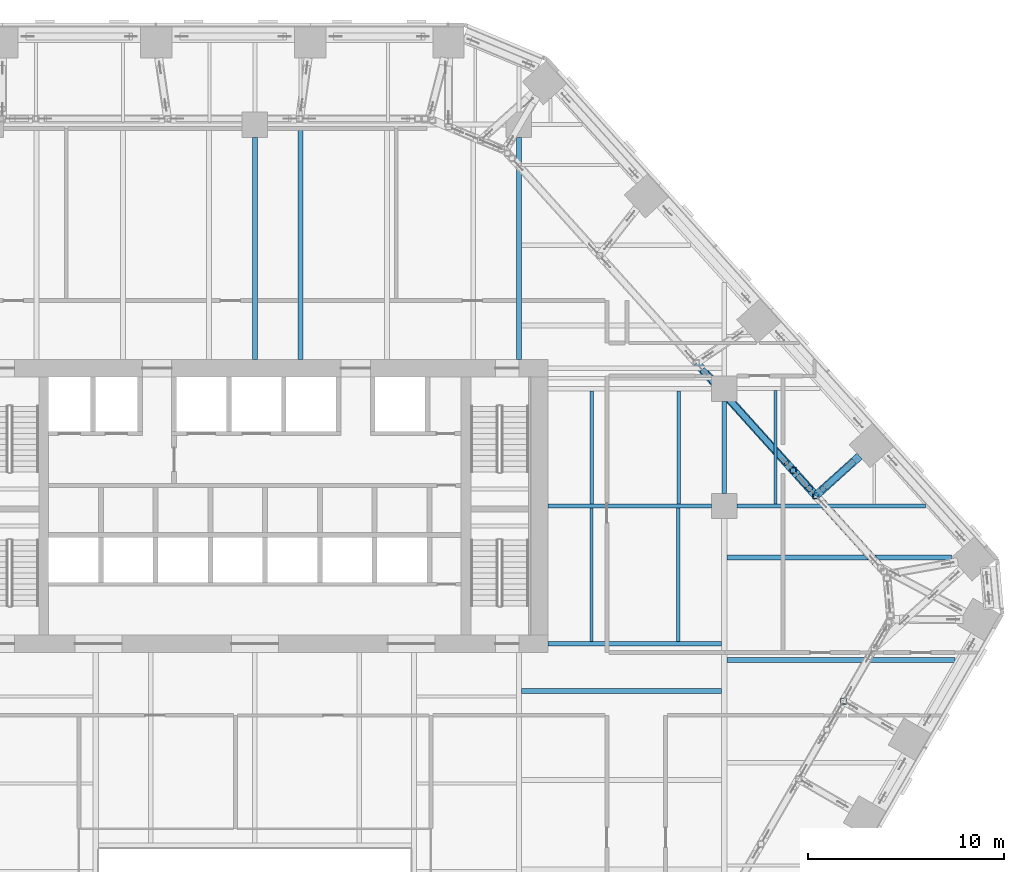
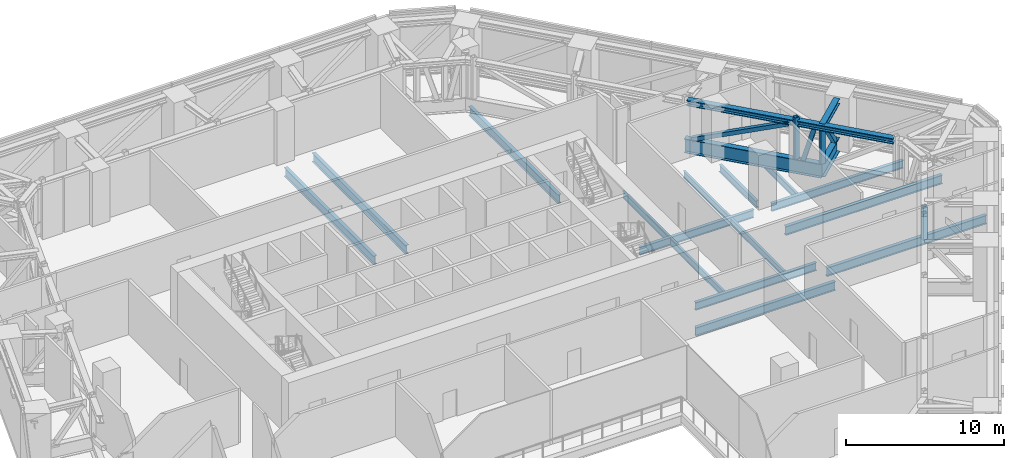
# One storey, part 13 of 36: 15 beams, 11 members.
"""IFC4 building model written with IfcOpenShell, lengths in metres."""

from ifc_helpers import new_model, si_unit, direction, frame, origin, origin_2d, place, context, subcontext, project, spatial, hollow_rectangle, i_section, extrude, material, material_profile, profile_set, type_object, element, save


model = new_model("IFC4")

# Units and contexts
model_context = context("Model", 3, precision=1e-05, world=origin(), true_north=direction((0.0, 1.0)))
body_context = subcontext(model_context, "Body", "Model", "MODEL_VIEW")
ifc_project = project(units=[si_unit("LENGTHUNIT", "METRE"), si_unit("AREAUNIT", "SQUARE_METRE"), si_unit("VOLUMEUNIT", "CUBIC_METRE"), si_unit("PLANEANGLEUNIT", "RADIAN"), si_unit("MASSUNIT", "GRAM", prefix="KILO")], contexts=[model_context])

# Site, building, storey
site_placement = place(None, origin())
site = spatial("IfcSite", under=ifc_project, at=site_placement, CompositionType="ELEMENT")
building_placement = place(site_placement, origin())
building = spatial("IfcBuilding", under=site, at=building_placement, Name="Isthmus Gate Tower", CompositionType="ELEMENT")
storey_placement = place(building_placement, frame((0.0, 0.0, 117.14990234375)))
storey = spatial("IfcBuildingStorey", under=building, at=storey_placement, Name="L28", CompositionType="ELEMENT", Elevation=117.14990234375)

# Beams
ifc_material_1 = material(Name="Structural steel ASTM A992 Gr 50", Category="steel")
ifc_material_profile_1 = material_profile(ifc_material_1, i_section(OverallWidth=0.1650390625, OverallDepth=0.52392578125, WebThickness=0.009521484375, FlangeThickness=0.010986328125, at=origin_2d()), Name="W21X44")
ifc_profile_set_1 = profile_set([ifc_material_profile_1], Name="Structural steel ASTM A992 Gr 50")
beam_type_1 = type_object("IfcBeamType", Name="STEEL FLOOR BEAM W21X44", PredefinedType="JOIST", material=ifc_profile_set_1)
for number, where, z_axis, x_axis, name in (
    (1, (17.223876953125, 7.6142578125, -0.561767578125), (0.0, 1.0, 0.0), (-1.0, 0.0, 0.0), "str-beam-L28-30-00"),
    (2, (21.67138671875, 7.6142578125, -0.561767578125), (0.0, 1.0, 0.0), (-1.0, 0.0, 0.0), "str-beam-L28-30-01"),
):
    element("IfcBeam", number, at=place(storey_placement, frame(where, z_axis=z_axis, x_axis=x_axis)), inside=storey, type_object=beam_type_1, Name=name, PredefinedType="JOIST", context=body_context, shape_type="SweptSolid", body=[
        extrude(i_section(OverallWidth=0.1650390625, OverallDepth=0.52392578125, WebThickness=0.009521484375, FlangeThickness=0.010986328125, at=origin_2d()), origin(), (0.0, 0.0, 1.0), 5.771484375),
    ])
for number, where, z_axis, x_axis, name in (
    (3, (17.216552734375, 0.564208984375, -0.561767578125), (0.0, 1.0, 0.0), (-1.0, 0.0, 0.0), "str-beam-L28-31-00"),
    (4, (21.64990234375, 0.564208984375, -0.561767578125), (0.0, 1.0, 0.0), (-1.0, 0.0, 0.0), "str-beam-L28-31-01"),
):
    element("IfcBeam", number, at=place(storey_placement, frame(where, z_axis=z_axis, x_axis=x_axis)), inside=storey, type_object=beam_type_1, Name=name, PredefinedType="JOIST", context=body_context, shape_type="SweptSolid", body=[
        extrude(i_section(OverallWidth=0.1650390625, OverallDepth=0.52392578125, WebThickness=0.009521484375, FlangeThickness=0.010986328125, at=origin_2d()), origin(), (0.0, 0.0, 1.0), 6.821533203125),
    ])
beam_1_placement = place(storey_placement, frame((26.625244140625, 7.6142578125, -0.561767578125), z_axis=(0.0, 1.0, 0.0), x_axis=(-1.0, 0.0, 0.0)))
element("IfcBeam", 5, at=beam_1_placement, inside=storey, type_object=beam_type_1, Name="str-beam-L28-33-00", PredefinedType="JOIST", context=body_context, shape_type="SweptSolid", body=[
    extrude(i_section(OverallWidth=0.1650390625, OverallDepth=0.52392578125, WebThickness=0.009521484375, FlangeThickness=0.010986328125, at=origin_2d()), origin(), (0.0, 0.0, 1.0), 5.781005859375),
])
ifc_material_2 = material(Name="Structural steel ASTM A992 Gr 50", Category="steel")
ifc_material_profile_2 = material_profile(ifc_material_2, i_section(OverallWidth=0.25390625, OverallDepth=0.679443359375, WebThickness=0.010986328125, FlangeThickness=0.015869140625, at=origin_2d()), Name="W27X84")
ifc_profile_set_2 = profile_set([ifc_material_profile_2], Name="Structural steel ASTM A992 Gr 50")
beam_type_2 = type_object("IfcBeamType", Name="STEEL FLOOR BEAM W27X84", PredefinedType="JOIST", material=ifc_profile_set_2)
beam_2_placement = place(storey_placement, frame((2.334716796875, 15.0, -0.6396484375), z_axis=(0.0, 1.0, 0.0), x_axis=(-1.0, 0.0, 0.0)))
element("IfcBeam", 6, at=beam_2_placement, inside=storey, type_object=beam_type_2, Name="str-beam-L28-21-00", PredefinedType="JOIST", context=body_context, shape_type="SweptSolid", body=[
    extrude(i_section(OverallWidth=0.25390625, OverallDepth=0.679443359375, WebThickness=0.010986328125, FlangeThickness=0.015869140625, at=origin_2d()), origin(), (0.0, 0.0, 1.0), 11.8681640625),
])
beam_3_placement = place(storey_placement, frame((13.6318359375, -1.947998046875, -0.6396484375), z_axis=(1.0, 0.0, 0.0), x_axis=(0.0, 1.0, 0.0)))
element("IfcBeam", 7, at=beam_3_placement, inside=storey, type_object=beam_type_2, Name="str-beam-L28-27-02", PredefinedType="JOIST", context=body_context, shape_type="SweptSolid", body=[
    extrude(i_section(OverallWidth=0.25390625, OverallDepth=0.679443359375, WebThickness=0.010986328125, FlangeThickness=0.015869140625, at=origin_2d()), origin(), (0.0, 0.0, 1.0), 10.23486328125),
])
beam_4_placement = place(storey_placement, frame((24.13330078125, -0.375, -0.6396484375), z_axis=(1.0, 0.0, 0.0), x_axis=(0.0, 1.0, 0.0)))
element("IfcBeam", 8, at=beam_4_placement, inside=storey, type_object=beam_type_2, Name="str-beam-L28-34-02", PredefinedType="JOIST", context=body_context, shape_type="SweptSolid", body=[
    extrude(i_section(OverallWidth=0.25390625, OverallDepth=0.679443359375, WebThickness=0.010986328125, FlangeThickness=0.015869140625, at=origin_2d()), origin(), (0.0, 0.0, 1.0), 11.6767578125),
])
beam_5_placement = place(storey_placement, frame((24.13330078125, 4.875, -0.6396484375), z_axis=(1.0, 0.0, 0.0), x_axis=(0.0, 1.0, 0.0)))
element("IfcBeam", 9, at=beam_5_placement, inside=storey, type_object=beam_type_2, Name="str-beam-L28-34-03", PredefinedType="JOIST", context=body_context, shape_type="SweptSolid", body=[
    extrude(i_section(OverallWidth=0.25390625, OverallDepth=0.679443359375, WebThickness=0.010986328125, FlangeThickness=0.015869140625, at=origin_2d()), origin(), (0.0, 0.0, 1.0), 11.484130859375),
])
ifc_material_3 = material(Name="Structural steel ASTM A992 Gr 50", Category="steel")
ifc_material_profile_3 = material_profile(ifc_material_3, i_section(OverallWidth=0.20947265625, OverallDepth=0.533447265625, WebThickness=0.009521484375, FlangeThickness=0.015869140625, at=origin_2d()), Name="W21X62")
ifc_profile_set_3 = profile_set([ifc_material_profile_3], Name="Structural steel ASTM A992 Gr 50")
beam_type_3 = type_object("IfcBeamType", Name="STEEL GIRDER W21X62", PredefinedType="BEAM", material=ifc_profile_set_3)
beam_6_placement = place(storey_placement, frame((24.0, 8.14990234375, -0.566650390625), z_axis=(0.0, 1.0, 0.0), x_axis=(-1.0, 0.0, 0.0)))
element("IfcBeam", 10, at=beam_6_placement, inside=storey, type_object=beam_type_3, Name="str-girder-L28-37", PredefinedType="BEAM", context=body_context, shape_type="SweptSolid", body=[
    extrude(i_section(OverallWidth=0.20947265625, OverallDepth=0.533447265625, WebThickness=0.009521484375, FlangeThickness=0.015869140625, at=origin_2d()), origin(), (0.0, 0.0, 1.0), 4.7001953125),
])
ifc_material_4 = material(Name="Structural steel ASTM A992 Gr 50", Category="steel")
ifc_material_profile_4 = material_profile(ifc_material_4, i_section(OverallWidth=0.228515625, OverallDepth=0.6064453125, WebThickness=0.010986328125, FlangeThickness=0.017578125, at=origin_2d()), Name="W24X76")
ifc_profile_set_4 = profile_set([ifc_material_profile_4], Name="Structural steel ASTM A992 Gr 50")
beam_type_4 = type_object("IfcBeamType", Name="STEEL GIRDER W24X76", PredefinedType="BEAM", material=ifc_profile_set_4)
beam_7_placement = place(storey_placement, frame((15.0, 7.5, -0.60302734375), z_axis=(1.0, 0.0, 0.0), x_axis=(0.0, 1.0, 0.0)))
element("IfcBeam", 11, at=beam_7_placement, inside=storey, type_object=beam_type_4, Name="str-girder-L28-11", PredefinedType="BEAM", context=body_context, shape_type="SweptSolid", body=[
    extrude(i_section(OverallWidth=0.228515625, OverallDepth=0.6064453125, WebThickness=0.010986328125, FlangeThickness=0.017578125, at=origin_2d()), origin(), (0.0, 0.0, 1.0), 8.35009765625),
])
beam_8_placement = place(storey_placement, frame((24.64990234375, 7.5, -0.60302734375), z_axis=(1.0, 0.0, 0.0), x_axis=(0.0, 1.0, 0.0)))
element("IfcBeam", 12, at=beam_8_placement, inside=storey, type_object=beam_type_4, Name="str-girder-L28-12", PredefinedType="BEAM", context=body_context, shape_type="SweptSolid", body=[
    extrude(i_section(OverallWidth=0.228515625, OverallDepth=0.6064453125, WebThickness=0.010986328125, FlangeThickness=0.017578125, at=origin_2d()), origin(), (0.0, 0.0, 1.0), 9.639892578125),
])
beam_9_placement = place(storey_placement, frame((15.0, 0.449951171875, -0.60302734375), z_axis=(1.0, 0.0, 0.0), x_axis=(0.0, 1.0, 0.0)))
element("IfcBeam", 13, at=beam_9_placement, inside=storey, type_object=beam_type_4, Name="str-girder-L28-40", PredefinedType="BEAM", context=body_context, shape_type="SweptSolid", body=[
    extrude(i_section(OverallWidth=0.228515625, OverallDepth=0.6064453125, WebThickness=0.010986328125, FlangeThickness=0.017578125, at=origin_2d()), origin(), (0.0, 0.0, 1.0), 8.86669921875),
])
ifc_material_5 = material(Name="Structural steel ASTM A992 Gr 50", Category="steel")
ifc_material_profile_5 = material_profile(ifc_material_5, i_section(OverallWidth=0.25390625, OverallDepth=0.679443359375, WebThickness=0.010986328125, FlangeThickness=0.015869140625, at=origin_2d()), Name="W27X84")
ifc_profile_set_5 = profile_set([ifc_material_profile_5], Name="Structural steel ASTM A992 Gr 50")
beam_type_5 = type_object("IfcBeamType", Name="STEEL GIRDER W27X84", PredefinedType="BEAM", material=ifc_profile_set_5)
for number, where, z_axis, x_axis, name in (
    (14, (0.0, 15.0, -0.6396484375), (0.0, 1.0, 0.0), (-1.0, 0.0, 0.0), "str-girder-L28-30"),
    (15, (13.5, 15.0, -0.6396484375), (0.0, 1.0, 0.0), (-1.0, 0.0, 0.0), "str-girder-L28-34"),
):
    element("IfcBeam", number, at=place(storey_placement, frame(where, z_axis=z_axis, x_axis=x_axis)), inside=storey, type_object=beam_type_5, Name=name, PredefinedType="BEAM", context=body_context, shape_type="SweptSolid", body=[
        extrude(i_section(OverallWidth=0.25390625, OverallDepth=0.679443359375, WebThickness=0.010986328125, FlangeThickness=0.015869140625, at=origin_2d()), origin(), (0.0, 0.0, 1.0), 11.35009765625),
    ])

# Members
ifc_material_6 = material(Name="Structural steel ASTM A913 Gr 65", Category="steel")
ifc_material_profile_6 = material_profile(ifc_material_6, i_section(OverallWidth=0.40966796875, OverallDepth=0.42529296875, WebThickness=0.033203125, FlangeThickness=0.052490234375, at=origin_2d()), Name="W14X283")
ifc_profile_set_6 = profile_set([ifc_material_profile_6], Name="Structural steel ASTM A913 Gr 65")
member_type_1 = type_object("IfcMemberType", Name="TRANSFER TRUSS CHORD W14X283", PredefinedType="CHORD", material=ifc_profile_set_6)
member_1_placement = place(storey_placement, frame((22.674560546875, 14.7021484375, 3.887451171875), z_axis=(0.669130339499, -0.743145065759, 0.0), x_axis=(0.743145065759, 0.669130339499, 0.0)))
element("IfcMember", 16, at=member_1_placement, inside=storey, type_object=member_type_1, Name="str-ring01-L28-16", PredefinedType="CHORD", context=body_context, shape_type="SweptSolid", body=[
    extrude(i_section(OverallWidth=0.40966796875, OverallDepth=0.42529296875, WebThickness=0.033203125, FlangeThickness=0.052490234375, at=origin_2d()), origin(), (0.0, 0.0, 1.0), 7.085205078125),
])
member_2_placement = place(storey_placement, frame((27.619384765625, 9.210205078125, 3.887451171875), z_axis=(0.669131572964, -0.743143955141, 0.0), x_axis=(0.743143955141, 0.669131572964, 0.0)))
element("IfcMember", 17, at=member_2_placement, inside=storey, type_object=member_type_1, Name="str-ring01-L28-17", PredefinedType="CHORD", context=body_context, shape_type="SweptSolid", body=[
    extrude(i_section(OverallWidth=0.40966796875, OverallDepth=0.42529296875, WebThickness=0.033203125, FlangeThickness=0.052490234375, at=origin_2d()), origin(), (0.0, 0.0, 1.0), 6.38623046875),
])
member_3_placement = place(storey_placement, frame((30.918212890625, 10.048828125, 3.887451171875), z_axis=(-0.743132940978, -0.669143805197, 0.0), x_axis=(0.669143805197, -0.743132940978, 0.0)))
element("IfcMember", 18, at=member_3_placement, inside=storey, type_object=member_type_1, Name="str-link23-L28-02", PredefinedType="CHORD", context=body_context, shape_type="SweptSolid", body=[
    extrude(i_section(OverallWidth=0.40966796875, OverallDepth=0.42529296875, WebThickness=0.033203125, FlangeThickness=0.052490234375, at=origin_2d()), origin(), (0.0, 0.0, 1.0), 3.0126953125),
])
ifc_material_7 = material(Name="Structural steel ASTM A913 Gr 65", Category="steel")
ifc_material_profile_7 = material_profile(ifc_material_7, i_section(OverallWidth=0.39990234375, OverallDepth=1.089111328125, WebThickness=0.017578125, FlangeThickness=0.03173828125, at=origin_2d()), Name="W44X230")
ifc_profile_set_7 = profile_set([ifc_material_profile_7], Name="Structural steel ASTM A913 Gr 65")
member_type_2 = type_object("IfcMemberType", Name="TRANSFER TRUSS CHORD W44X230", PredefinedType="CHORD", material=ifc_profile_set_7)
member_4_placement = place(storey_placement, frame((22.572509765625, 14.8154296875, 0.544677734375), z_axis=(0.6691302347, -0.743145160121, 0.0), x_axis=(0.743145160121, 0.6691302347, 0.0)))
element("IfcMember", 19, at=member_4_placement, inside=storey, type_object=member_type_2, Name="str-ring01-L28-11", PredefinedType="CHORD", context=body_context, shape_type="SweptSolid", body=[
    extrude(i_section(OverallWidth=0.39990234375, OverallDepth=1.089111328125, WebThickness=0.017578125, FlangeThickness=0.03173828125, at=origin_2d()), origin(), (0.0, 0.0, 1.0), 9.126953125),
])
member_5_placement = place(storey_placement, frame((30.918212890625, 10.048828125, 0.544677734375), z_axis=(-0.743132940978, -0.669143805197, 0.0), x_axis=(0.669143805197, -0.743132940978, 0.0)))
element("IfcMember", 20, at=member_5_placement, inside=storey, type_object=member_type_2, Name="str-link23-L28-01", PredefinedType="CHORD", context=body_context, shape_type="SweptSolid", body=[
    extrude(i_section(OverallWidth=0.39990234375, OverallDepth=1.089111328125, WebThickness=0.017578125, FlangeThickness=0.03173828125, at=origin_2d()), origin(), (0.0, 0.0, 1.0), 3.0126953125),
])
ifc_material_8 = material(Name="Structural steel ASTM A500 Gr C", Category="steel")
ifc_material_profile_8 = material_profile(ifc_material_8, hollow_rectangle(XDim=0.3046875, YDim=0.3046875, WallThickness=0.014892578125, at=origin_2d()), Name="HSS12X12X5/8")
ifc_profile_set_8 = profile_set([ifc_material_profile_8], Name="Structural steel ASTM A500 Gr C")
member_type_3 = type_object("IfcMemberType", Name="TRANSFER TRUSS DIAGONAL HSS12X12X5/8", PredefinedType="BRACE", material=ifc_profile_set_8)
member_6_placement = place(storey_placement, frame((22.9072265625, 14.44384765625, 1.089111328125), z_axis=(0.620258300836, -0.688896488869, 0.375101676706), x_axis=(0.743159246579, 0.669114589756, 0.0)))
element("IfcMember", 21, at=member_6_placement, inside=storey, type_object=member_type_3, Name="str-ring01-L28-21", PredefinedType="BRACE", context=body_context, shape_type="SweptSolid", body=[
    extrude(hollow_rectangle(XDim=0.3046875, YDim=0.3046875, WallThickness=0.014892578125, at=origin_2d()), origin(), (0.0, 0.0, 1.0), 6.893310546875),
])
member_7_placement = place(storey_placement, frame((27.85205078125, 8.951904296875, 1.089111328125), z_axis=(0.183423707829, -0.203672958743, 0.961703212682), x_axis=(0.743079960389, 0.669202639316, 0.0)))
element("IfcMember", 22, at=member_7_placement, inside=storey, type_object=member_type_3, Name="str-ring01-L28-22", PredefinedType="BRACE", context=body_context, shape_type="SweptSolid", body=[
    extrude(hollow_rectangle(XDim=0.3046875, YDim=0.3046875, WallThickness=0.014892578125, at=origin_2d()), origin(), (0.0, 0.0, 1.0), 2.688720703125),
])
member_8_placement = place(storey_placement, frame((30.546630859375, 9.71435546875, 1.089111328125), z_axis=(-0.456448630887, -0.410997493956, 0.789136051212), x_axis=(0.669138968877, -0.743137295747, 0.0)))
element("IfcMember", 23, at=member_8_placement, inside=storey, type_object=member_type_3, Name="str-link23-L28-03", PredefinedType="BRACE", context=body_context, shape_type="SweptSolid", body=[
    extrude(hollow_rectangle(XDim=0.3046875, YDim=0.3046875, WallThickness=0.014892578125, at=origin_2d()), origin(), (0.0, 0.0, 1.0), 3.276611328125),
])
ifc_material_9 = material(Name="Structural steel ASTM A500 Gr C", Category="steel")
ifc_material_profile_9 = material_profile(ifc_material_9, hollow_rectangle(XDim=0.3046875, YDim=0.3046875, WallThickness=0.014892578125, at=origin_2d()), Name="HSS12X12X5/8")
ifc_profile_set_9 = profile_set([ifc_material_profile_9], Name="Structural steel ASTM A500 Gr C")
member_type_4 = type_object("IfcMemberType", Name="TRANSFER TRUSS POST HSS12X12X5/8", PredefinedType="POST", material=ifc_profile_set_9)
member_9_placement = place(storey_placement, frame((27.517578125, 9.323486328125, 1.089111328125), z_axis=(0.0, 0.0, 1.0), x_axis=(1.0, 0.0, 0.0)))
element("IfcMember", 24, at=member_9_placement, inside=storey, type_object=member_type_4, Name="str-ring01-L28-05", PredefinedType="POST", context=body_context, shape_type="SweptSolid", body=[
    extrude(hollow_rectangle(XDim=0.3046875, YDim=0.3046875, WallThickness=0.014892578125, at=origin_2d()), origin(), (0.0, 0.0, 1.0), 3.2109375),
])
for number, where, z_axis, x_axis, name in (
    (25, (28.6796875, 8.03271484375, 1.089111328125), (0.0, 0.0, 1.0), (1.0, 0.0, 0.0), "str-ring01-L28-06"),
    (26, (30.095703125, -2.47265625, 1.089111328125), (0.0, 0.0, 1.0), (1.0, 0.0, 0.0), "str-ring03-L28-04"),
):
    element("IfcMember", number, at=place(storey_placement, frame(where, z_axis=z_axis, x_axis=x_axis)), inside=storey, type_object=member_type_4, Name=name, PredefinedType="POST", context=body_context, shape_type="SweptSolid", body=[
        extrude(hollow_rectangle(XDim=0.3046875, YDim=0.3046875, WallThickness=0.014892578125, at=origin_2d()), origin(), (0.0, 0.0, 1.0), 2.585693359375),
    ])

save(model, "model.ifc")
